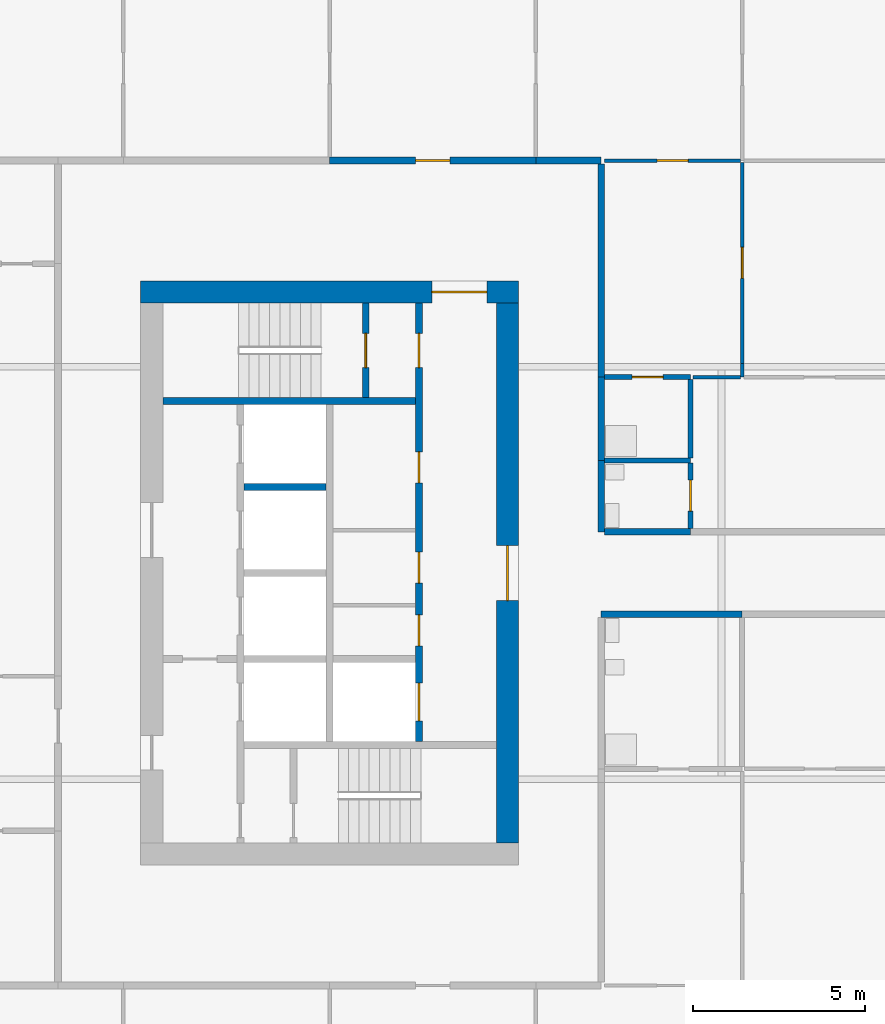
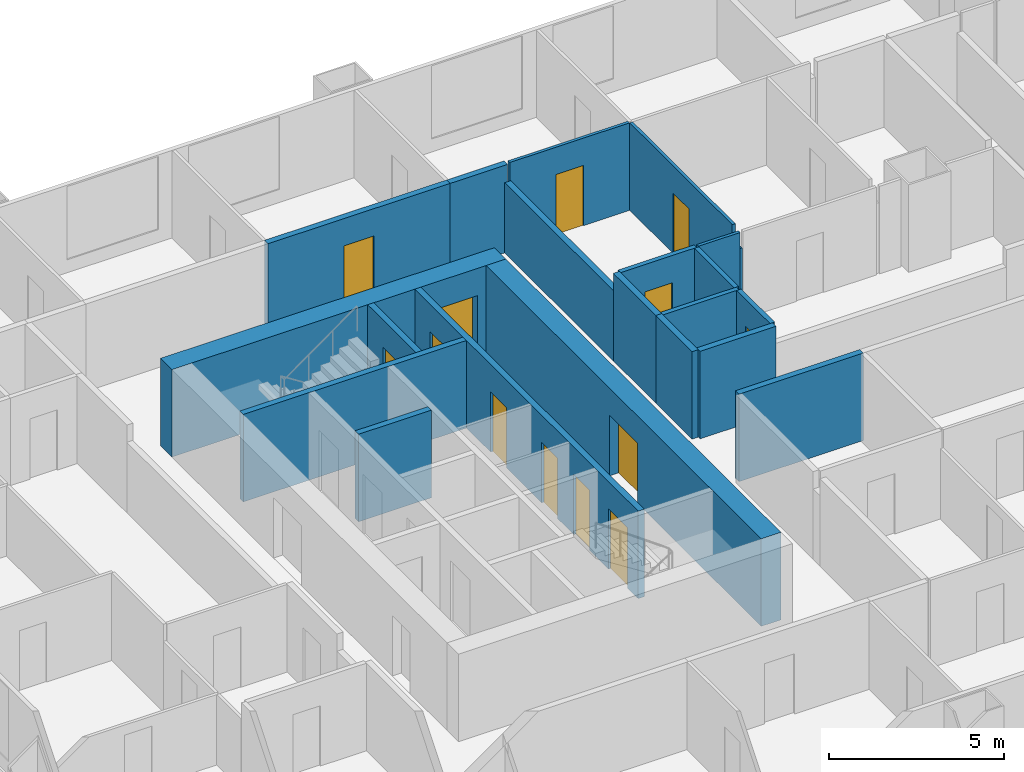
# One storey, part 4 of 11: 21 walls, 13 doors, 13 openings.
"""IFC4 building model written with IfcOpenShell, lengths in metres."""

import ifcopenshell
import ifcopenshell.guid

model = None  # the IFC model being written
_history = None  # IfcOwnerHistory: only IFC2X3 demands one
_inside = {}  # id of a spatial element -> (the spatial element, [elements in it])
_under = {}  # id of a project, library or spatial element -> (it, [spatial elements below it])
_declared = {}  # id of a project -> (the project, [libraries it declares])
_typed = {}  # id of a type object -> (the type object, [elements of that type])
_made_of = {}  # id of a material, layer set ... -> (it, [elements and type objects made of it])


def new_model(schema):
    """Start an empty IFC model of exactly this schema.

    Asked for "IFC4X3", IfcOpenShell would pick the latest addendum, in which some entities
    have other attributes; the version numbers below select the first issue.
    IFC2X3 requires an IfcOwnerHistory on every rooted entity: one is made here for all.
    """
    global model, _history
    if schema == "IFC4X3":
        model = ifcopenshell.file(schema_version=(4, 3, 0, 0))
    else:
        model = ifcopenshell.file(schema=schema)
    _inside.clear()
    _under.clear()
    _declared.clear()
    _typed.clear()
    _made_of.clear()
    _history = None
    if model.schema == "IFC2X3":
        org = make("IfcOrganization", Name="unknown")
        user = make(
            "IfcPersonAndOrganization",
            ThePerson=make("IfcPerson", FamilyName="unknown"),
            TheOrganization=org,
        )
        app = make(
            "IfcApplication",
            ApplicationDeveloper=org,
            Version="unknown",
            ApplicationFullName="unknown",
            ApplicationIdentifier="unknown",
        )
        _history = make(
            "IfcOwnerHistory",
            OwningUser=user,
            OwningApplication=app,
            ChangeAction="ADDED",
            CreationDate=0,
        )
    return model


def make(cls, **values):
    """One entity of the class cls with the attributes given. An attribute that is None is left unset."""
    return model.create_entity(
        cls, **{name: value for name, value in values.items() if value is not None}
    )


def rooted(cls, **values):
    """An entity with a GlobalId (a new one), such as an element, a storey or a relation."""
    return make(cls, GlobalId=ifcopenshell.guid.new(), OwnerHistory=_history, **values)


def si_unit(unit_type, name, prefix=None):
    """IfcSIUnit, for example si_unit("LENGTHUNIT", "METRE", prefix="MILLI")."""
    return make("IfcSIUnit", UnitType=unit_type, Prefix=prefix, Name=name)


def assignment(units):
    """IfcUnitAssignment: the units of a project."""
    return None if units is None else make("IfcUnitAssignment", Units=units)


def point(xyz):
    """IfcCartesianPoint."""
    return None if xyz is None else make("IfcCartesianPoint", Coordinates=xyz)


def direction(xyz):
    """IfcDirection."""
    return None if xyz is None else make("IfcDirection", DirectionRatios=xyz)


def frame(location, z_axis=None, x_axis=None):
    """IfcAxis2Placement3D, a coordinate frame: its origin and axes. An axis left out is left unset."""
    return make(
        "IfcAxis2Placement3D",
        Location=point(location),
        Axis=direction(z_axis),
        RefDirection=direction(x_axis),
    )


def frame_2d(location, x_axis=None):
    """IfcAxis2Placement2D, a coordinate frame in the plane: its origin and x axis."""
    return make(
        "IfcAxis2Placement2D", Location=point(location), RefDirection=direction(x_axis)
    )


def origin():
    """The frame at (0, 0, 0) with its axes left unset."""
    return frame((0.0, 0.0, 0.0))


def place(relative_to, where):
    """IfcLocalPlacement: puts the frame where relative to a parent placement (None: the world)."""
    return make(
        "IfcLocalPlacement", PlacementRelTo=relative_to, RelativePlacement=where
    )


def context(
    kind, dimensions, precision=None, world=None, true_north=None, identifier=None
):
    """IfcGeometricRepresentationContext, for example the 3D "Model" context."""
    return make(
        "IfcGeometricRepresentationContext",
        ContextIdentifier=identifier,
        ContextType=kind,
        CoordinateSpaceDimension=dimensions,
        Precision=precision,
        WorldCoordinateSystem=world,
        TrueNorth=true_north,
    )


def subcontext(parent, identifier, kind, view, scale=None):
    """IfcGeometricRepresentationSubContext, for example "Body" below "Model"."""
    return make(
        "IfcGeometricRepresentationSubContext",
        ContextIdentifier=identifier,
        ContextType=kind,
        ParentContext=parent,
        TargetScale=scale,
        TargetView=view,
    )


def project(units=None, contexts=None):
    """IfcProject with its units and contexts."""
    return rooted(
        "IfcProject",
        Name="project",
        RepresentationContexts=contexts,
        UnitsInContext=assignment(units),
    )


def spatial(cls, under=None, at=None, **own):
    """A site, building, storey or space (cls), placed at a placement, below another one or the project."""
    s = rooted(cls, ObjectPlacement=at, **own)
    if under is not None:
        _under.setdefault(under.id(), (under, []))[1].append(s)
    return s


def profile(cls, at=None, kind="AREA", **sizes):
    """A parametric profile (cls). Its sizes go by their IFC names, for example OverallWidth=200.0."""
    return make(cls, ProfileType=kind, Position=at, **sizes)


def rectangle(**sizes):
    """IfcRectangleProfileDef."""
    return profile("IfcRectangleProfileDef", **sizes)


def extrude(swept, where, along, depth):
    """IfcExtrudedAreaSolid: the profile swept, set in the frame where, extruded along a direction by depth."""
    return make(
        "IfcExtrudedAreaSolid",
        SweptArea=swept,
        Position=where,
        ExtrudedDirection=direction(along),
        Depth=depth,
    )


def shape(context_of_items, identifier, shape_type, items):
    """IfcShapeRepresentation: the items that make up one representation, for example the "Body"."""
    return make(
        "IfcShapeRepresentation",
        ContextOfItems=context_of_items,
        RepresentationIdentifier=identifier,
        RepresentationType=shape_type,
        Items=items,
    )


def material(Name=None, Category=None):
    """IfcMaterial."""
    return make("IfcMaterial", Name=Name, Category=Category)


def layer(
    of_material, thickness, ventilated=None, Name=None, Category=None, Priority=None
):
    """IfcMaterialLayer: one layer of a wall or slab, of a material (None: an air gap)."""
    return make(
        "IfcMaterialLayer",
        Material=of_material,
        LayerThickness=thickness,
        IsVentilated=ventilated,
        Name=Name,
        Category=Category,
        Priority=Priority,
    )


def layer_set(layers, Name=None):
    """IfcMaterialLayerSet."""
    return make("IfcMaterialLayerSet", MaterialLayers=layers, LayerSetName=Name)


def made_of(thing, what):
    """Note that an element or type object is made of a material, layer set ...; save() writes the relation."""
    if what is not None:
        _made_of.setdefault(what.id(), (what, []))[1].append(thing)
    return thing


def type_object(cls, material=None, **own):
    """A type object (cls), such as IfcWallType, which elements share."""
    return made_of(rooted(cls, **own), material)


def element(
    cls,
    number,
    at=None,
    inside=None,
    cuts=None,
    type_object=None,
    material=None,
    context=None,
    identifier="Body",
    shape_type=None,
    held_by="IfcProductDefinitionShape",
    body=None,
    shapes=None,
    **own,
):
    """One element of the class cls, such as IfcWall. Its Tag is "e" and its number.

    at: its placement. inside: the storey or other place that contains it. cuts: it is an
    opening in that element (IfcRelVoidsElement). A single representation is given by context,
    identifier, shape_type and body (its items); several are given by shapes. held_by: the class
    of the entity that holds the representations. save() writes the other relations.
    """
    e = rooted(cls, Tag="e%d" % number, ObjectPlacement=at, **own)
    if body is not None:
        shapes = [shape(context, identifier, shape_type, body)]
    if shapes is not None:
        e.Representation = make(held_by, Representations=shapes)
    if inside is not None:
        _inside.setdefault(inside.id(), (inside, []))[1].append(e)
    if cuts is not None:
        rooted(
            "IfcRelVoidsElement", RelatingBuildingElement=cuts, RelatedOpeningElement=e
        )
    if type_object is not None:
        _typed.setdefault(type_object.id(), (type_object, []))[1].append(e)
    return made_of(e, material)


def fill(opening, filler):
    """IfcRelFillsElement: the door or window that sits in an opening."""
    return rooted(
        "IfcRelFillsElement",
        RelatingOpeningElement=opening,
        RelatedBuildingElement=filler,
    )


def aggregate(whole, parts):
    """IfcRelAggregates: a whole, such as a stair, and the parts it consists of."""
    return rooted("IfcRelAggregates", RelatingObject=whole, RelatedObjects=parts)


def save(model, path):
    """Write the relations noted so far, then the file.

    IfcRelAggregates (storeys below a building ...), IfcRelContainedInSpatialStructure (elements
    in a storey), IfcRelDefinesByType, IfcRelAssociatesMaterial and IfcRelDeclares: one each for
    every whole, place, type object, material and project.
    """
    for whole, parts in _under.values():
        aggregate(whole, parts)
    for where, things in _inside.values():
        rooted(
            "IfcRelContainedInSpatialStructure",
            RelatedElements=things,
            RelatingStructure=where,
        )
    for kind, things in _typed.values():
        rooted("IfcRelDefinesByType", RelatedObjects=things, RelatingType=kind)
    for what, things in _made_of.values():
        rooted("IfcRelAssociatesMaterial", RelatedObjects=things, RelatingMaterial=what)
    for by, libraries in _declared.values():
        rooted("IfcRelDeclares", RelatingContext=by, RelatedDefinitions=libraries)
    model.write(path)


model = new_model("IFC4")

# Units and contexts
model_context = context("Model", 3, precision=1e-05, world=origin(), true_north=direction((0.0, 1.0)))
body_context = subcontext(model_context, "Body", "Model", "MODEL_VIEW")
ifc_project = project(units=[si_unit("LENGTHUNIT", "METRE"), si_unit("AREAUNIT", "SQUARE_METRE"), si_unit("VOLUMEUNIT", "CUBIC_METRE"), si_unit("PLANEANGLEUNIT", "RADIAN"), si_unit("MASSUNIT", "GRAM", prefix="KILO")], contexts=[model_context])

# Site, building, storey
site_placement = place(None, origin())
site = spatial("IfcSite", under=ifc_project, at=site_placement, CompositionType="ELEMENT")
building_placement = place(site_placement, origin())
building = spatial("IfcBuilding", under=site, at=building_placement, Name="Kitamizu Gate Tower and Museum", CompositionType="ELEMENT")
storey_placement = place(building_placement, frame((0.0, 0.0, 127.64990234375)))
storey = spatial("IfcBuildingStorey", under=building, at=storey_placement, Name="L33", CompositionType="ELEMENT", Elevation=127.64990234375)

# Wall, opening, door
ifc_material_1 = material(Name="Concrete Fc60", Category="concrete")
ifc_layer_1 = layer(ifc_material_1, 0.64990234375)
ifc_layer_set_1 = layer_set([ifc_layer_1], Name="Concrete Fc60")
wall_type_1 = type_object("IfcWallType", Name="Core wall 650", PredefinedType="SHEAR", material=ifc_layer_set_1)
wall_1_placement = place(storey_placement, frame((12.5, 38.175048828125, 0.0), z_axis=(0.0, 0.0, 1.0), x_axis=(1.0, 0.0, 0.0)))
wall_1 = element("IfcWall", 1, at=wall_1_placement, inside=storey, type_object=wall_type_1, Name="Core wall WN", PredefinedType="SHEAR", context=body_context, shape_type="SweptSolid", body=[
    extrude(rectangle(XDim=11.0, YDim=0.64990234375, at=frame_2d((5.5, 0.0))), origin(), (0.0, 0.0, 1.0), 3.050048828125),
])
opening_1_placement = place(wall_1_placement, frame((8.47509765625, 0.0, 0.0)))
opening_1 = element("IfcOpeningElement", 2, at=opening_1_placement, cuts=wall_1, Name="Opening L33-059", PredefinedType="OPENING", context=body_context, shape_type="SweptSolid", body=[
    extrude(rectangle(XDim=1.60009765625, YDim=2.10009765625, at=frame_2d((0.800048828125, 1.050048828125))), frame((0.0, 0.3349609375, 0.0), z_axis=(0.0, -1.0, 0.0), x_axis=(1.0, 0.0, 0.0)), (0.0, 0.0, 1.0), 0.669921875),
])
ifc_material_2 = material(Name="Timber door set", Category="wood")
door_type_1 = type_object("IfcDoorType", Name="Entrance door 1600", OperationType="DOUBLE_DOOR_SINGLE_SWING", PredefinedType="DOOR", material=ifc_material_2)
door_1_placement = place(opening_1_placement, origin())
door_1 = element("IfcDoor", 3, at=door_1_placement, inside=storey, type_object=door_type_1, Name="Lobby door L33-059", OperationType="DOUBLE_DOOR_SINGLE_SWING", OverallHeight=2.10009765625, OverallWidth=1.60009765625, PredefinedType="DOOR", context=body_context, shape_type="SweptSolid", body=[
    extrude(rectangle(XDim=1.60009765625, YDim=2.10009765625, at=frame_2d((0.800048828125, 1.050048828125))), frame((0.0, 0.02490234375, 0.0), z_axis=(0.0, -1.0, 0.0), x_axis=(1.0, 0.0, 0.0)), (0.0, 0.0, 1.0), 0.050048828125),
])
fill(opening_1, door_1)

wall_2_placement = place(storey_placement, frame((23.175048828125, 22.14990234375, 0.0), z_axis=(0.0, 0.0, 1.0), x_axis=(0.0, 1.0, 0.0)))
wall_2 = element("IfcWall", 4, at=wall_2_placement, inside=storey, type_object=wall_type_1, Name="Core wall WARC", PredefinedType="SHEAR", context=body_context, shape_type="SweptSolid", body=[
    extrude(rectangle(XDim=15.7001953125, YDim=0.64990234375, at=frame_2d((7.85009765625, 0.0))), origin(), (0.0, 0.0, 1.0), 3.050048828125),
])
opening_2_placement = place(wall_2_placement, frame((7.050048828125, 0.0, 0.0)))
opening_2 = element("IfcOpeningElement", 5, at=opening_2_placement, cuts=wall_2, Name="Opening L33-060", PredefinedType="OPENING", context=body_context, shape_type="SweptSolid", body=[
    extrude(rectangle(XDim=1.60009765625, YDim=2.10009765625, at=frame_2d((0.800048828125, 1.050048828125))), frame((0.0, 0.3349609375, 0.0), z_axis=(0.0, -1.0, 0.0), x_axis=(1.0, 0.0, 0.0)), (0.0, 0.0, 1.0), 0.669921875),
])
door_2_placement = place(opening_2_placement, origin())
door_2 = element("IfcDoor", 6, at=door_2_placement, inside=storey, type_object=door_type_1, Name="Lobby door L33-060", OperationType="DOUBLE_DOOR_SINGLE_SWING", OverallHeight=2.10009765625, OverallWidth=1.60009765625, PredefinedType="DOOR", context=body_context, shape_type="SweptSolid", body=[
    extrude(rectangle(XDim=1.60009765625, YDim=2.10009765625, at=frame_2d((0.800048828125, 1.050048828125))), frame((0.0, 0.02490234375, 0.0), z_axis=(0.0, -1.0, 0.0), x_axis=(1.0, 0.0, 0.0)), (0.0, 0.0, 1.0), 0.050048828125),
])
fill(opening_2, door_2)

ifc_material_3 = material(Name="Gypsum board on galvanised stud")
ifc_layer_2 = layer(ifc_material_3, 0.10009765625)
ifc_layer_set_2 = layer_set([ifc_layer_2], Name="Gypsum board on galvanised stud")
wall_type_2 = type_object("IfcWallType", Name="Partition 100 NOT RATED", PredefinedType="PARTITIONING", material=ifc_layer_set_2)
wall_3_placement = place(storey_placement, frame((26.0, 42.0, 0.0), z_axis=(0.0, 0.0, 1.0), x_axis=(1.0, 0.0, 0.0)))
wall_3 = element("IfcWall", 7, at=wall_3_placement, inside=storey, type_object=wall_type_2, Name="Partition L33-058", PredefinedType="PARTITIONING", context=body_context, shape_type="SweptSolid", body=[
    extrude(rectangle(XDim=3.949951171875, YDim=0.10009765625, at=frame_2d((1.97509765625, 0.0))), origin(), (0.0, 0.0, 1.0), 3.050048828125),
])
opening_3_placement = place(wall_3_placement, frame((1.52490234375, 0.0, 0.0)))
opening_3 = element("IfcOpeningElement", 8, at=opening_3_placement, cuts=wall_3, Name="Opening L33-023", PredefinedType="OPENING", context=body_context, shape_type="SweptSolid", body=[
    extrude(rectangle(XDim=0.89990234375, YDim=2.10009765625, at=frame_2d((0.449951171875, 1.050048828125))), frame((0.0, 0.06005859375, 0.0), z_axis=(0.0, -1.0, 0.0), x_axis=(1.0, 0.0, 0.0)), (0.0, 0.0, 1.0), 0.1201171875),
])
ifc_material_4 = material(Name="Timber door set", Category="wood")
door_type_2 = type_object("IfcDoorType", Name="Room door 900", OperationType="NOTDEFINED", PredefinedType="DOOR", material=ifc_material_4)
door_3_placement = place(opening_3_placement, frame((0.89990234375, 0.0, 0.0), x_axis=(-1.0, 0.0, 0.0)))
door_3 = element("IfcDoor", 9, at=door_3_placement, inside=storey, type_object=door_type_2, Name="Door L33-023", OperationType="SINGLE_SWING_LEFT", OverallHeight=2.10009765625, OverallWidth=0.89990234375, PredefinedType="DOOR", context=body_context, shape_type="SweptSolid", body=[
    extrude(rectangle(XDim=0.89990234375, YDim=2.10009765625, at=frame_2d((0.449951171875, 1.050048828125))), frame((0.0, 0.02490234375, 0.0), z_axis=(0.0, -1.0, 0.0), x_axis=(1.0, 0.0, 0.0)), (0.0, 0.0, 1.0), 0.050048828125),
])
fill(opening_3, door_3)

# Wall
wall_4_placement = place(storey_placement, frame((30.0, 35.699951171875, 0.0), z_axis=(0.0, 0.0, 1.0), x_axis=(0.0, 1.0, 0.0)))
element("IfcWall", 10, at=wall_4_placement, inside=storey, type_object=wall_type_2, Name="Partition L33-063", PredefinedType="PARTITIONING", context=body_context, shape_type="SweptSolid", body=[
    extrude(rectangle(XDim=0.400146484375, YDim=0.10009765625, at=frame_2d((0.2001953125, 0.0))), origin(), (0.0, 0.0, 1.0), 2.4501953125),
])

# Wall, opening, door
wall_5_placement = place(storey_placement, frame((30.0, 36.10009765625, 0.0), z_axis=(0.0, 0.0, 1.0), x_axis=(0.0, 1.0, 0.0)))
wall_5 = element("IfcWall", 11, at=wall_5_placement, inside=storey, type_object=wall_type_2, Name="Partition L33-064", PredefinedType="PARTITIONING", context=body_context, shape_type="SweptSolid", body=[
    extrude(rectangle(XDim=5.849853515625, YDim=0.10009765625, at=frame_2d((2.9248046875, 0.0))), origin(), (0.0, 0.0, 1.0), 3.050048828125),
])
opening_4_placement = place(wall_5_placement, frame((2.47509765625, 0.0, 0.0)))
opening_4 = element("IfcOpeningElement", 12, at=opening_4_placement, cuts=wall_5, Name="Opening L33-024", PredefinedType="OPENING", context=body_context, shape_type="SweptSolid", body=[
    extrude(rectangle(XDim=0.89990234375, YDim=2.10009765625, at=frame_2d((0.449951171875, 1.050048828125))), frame((0.0, 0.06005859375, 0.0), z_axis=(0.0, -1.0, 0.0), x_axis=(1.0, 0.0, 0.0)), (0.0, 0.0, 1.0), 0.1201171875),
])
door_4_placement = place(opening_4_placement, origin())
door_4 = element("IfcDoor", 13, at=door_4_placement, inside=storey, type_object=door_type_2, Name="Door L33-024", OperationType="SINGLE_SWING_LEFT", OverallHeight=2.10009765625, OverallWidth=0.89990234375, PredefinedType="DOOR", context=body_context, shape_type="SweptSolid", body=[
    extrude(rectangle(XDim=0.89990234375, YDim=2.10009765625, at=frame_2d((0.449951171875, 1.050048828125))), frame((0.0, 0.02490234375, 0.0), z_axis=(0.0, -1.0, 0.0), x_axis=(1.0, 0.0, 0.0)), (0.0, 0.0, 1.0), 0.050048828125),
])
fill(opening_4, door_4)

# Wall
wall_6_placement = place(storey_placement, frame((28.574951171875, 35.699951171875, 0.0), z_axis=(0.0, 0.0, 1.0), x_axis=(1.0, 0.0, 0.0)))
element("IfcWall", 14, at=wall_6_placement, inside=storey, type_object=wall_type_2, Name="Partition L33-066", PredefinedType="PARTITIONING", context=body_context, shape_type="SweptSolid", body=[
    extrude(rectangle(XDim=1.375, YDim=0.10009765625, at=frame_2d((0.6875, 0.0))), origin(), (0.0, 0.0, 1.0), 3.050048828125),
])

# Wall, opening, door
ifc_material_5 = material(Name="Gypsum board on galvanised stud")
ifc_layer_3 = layer(ifc_material_5, 0.14990234375)
ifc_layer_set_3 = layer_set([ifc_layer_3], Name="Gypsum board on galvanised stud")
wall_type_3 = type_object("IfcWallType", Name="Partition 150", PredefinedType="PARTITIONING", material=ifc_layer_set_3)
wall_7_placement = place(storey_placement, frame((26.0, 35.699951171875, 0.0), z_axis=(0.0, 0.0, 1.0), x_axis=(1.0, 0.0, 0.0)))
wall_7 = element("IfcWall", 15, at=wall_7_placement, inside=storey, type_object=wall_type_3, Name="Partition L33-065", PredefinedType="PARTITIONING", context=body_context, shape_type="SweptSolid", body=[
    extrude(rectangle(XDim=2.5, YDim=0.14990234375, at=frame_2d((1.25, 0.0))), origin(), (0.0, 0.0, 1.0), 3.050048828125),
])
opening_5_placement = place(wall_7_placement, frame((0.800048828125, 0.0, 0.0)))
opening_5 = element("IfcOpeningElement", 16, at=opening_5_placement, cuts=wall_7, Name="Opening L33-026", PredefinedType="OPENING", context=body_context, shape_type="SweptSolid", body=[
    extrude(rectangle(XDim=0.89990234375, YDim=2.10009765625, at=frame_2d((0.449951171875, 1.050048828125))), frame((0.0, 0.0849609375, 0.0), z_axis=(0.0, -1.0, 0.0), x_axis=(1.0, 0.0, 0.0)), (0.0, 0.0, 1.0), 0.169921875),
])
ifc_material_6 = material(Name="Timber door set", Category="wood")
door_type_3 = type_object("IfcDoorType", Name="Bathroom door 900", OperationType="NOTDEFINED", PredefinedType="DOOR", material=ifc_material_6)
door_5_placement = place(opening_5_placement, frame((0.89990234375, 0.0, 0.0), x_axis=(-1.0, 0.0, 0.0)))
door_5 = element("IfcDoor", 17, at=door_5_placement, inside=storey, type_object=door_type_3, Name="Bathroom door L33-026", OperationType="SINGLE_SWING_RIGHT", OverallHeight=2.10009765625, OverallWidth=0.89990234375, PredefinedType="DOOR", context=body_context, shape_type="SweptSolid", body=[
    extrude(rectangle(XDim=0.89990234375, YDim=2.10009765625, at=frame_2d((0.449951171875, 1.050048828125))), frame((0.0, 0.02490234375, 0.0), z_axis=(0.0, -1.0, 0.0), x_axis=(1.0, 0.0, 0.0)), (0.0, 0.0, 1.0), 0.050048828125),
])
fill(opening_5, door_5)

# Wall
wall_8_placement = place(storey_placement, frame((28.5, 33.277099609375, 0.0), z_axis=(0.0, 0.0, 1.0), x_axis=(-1.0, 0.0, 0.0)))
element("IfcWall", 18, at=wall_8_placement, inside=storey, type_object=wall_type_3, Name="Partition L33-076", PredefinedType="PARTITIONING", context=body_context, shape_type="SweptSolid", body=[
    extrude(rectangle(XDim=2.5, YDim=0.14990234375, at=frame_2d((1.25, 0.0))), origin(), (0.0, 0.0, 1.0), 3.050048828125),
])

# Wall, opening, door
wall_9_placement = place(storey_placement, frame((28.5, 31.300048828125, 0.0), z_axis=(0.0, 0.0, 1.0), x_axis=(0.0, 1.0, 0.0)))
wall_9 = element("IfcWall", 19, at=wall_9_placement, inside=storey, type_object=wall_type_3, Name="Partition L33-077", PredefinedType="PARTITIONING", context=body_context, shape_type="SweptSolid", body=[
    extrude(rectangle(XDim=1.90185546875, YDim=0.14990234375, at=frame_2d((0.950927734375, 0.0))), origin(), (0.0, 0.0, 1.0), 3.050048828125),
])
opening_6_placement = place(wall_9_placement, frame((0.5009765625, 0.0, 0.0)))
opening_6 = element("IfcOpeningElement", 20, at=opening_6_placement, cuts=wall_9, Name="Opening L33-028", PredefinedType="OPENING", context=body_context, shape_type="SweptSolid", body=[
    extrude(rectangle(XDim=0.89990234375, YDim=2.10009765625, at=frame_2d((0.449951171875, 1.050048828125))), frame((0.0, 0.0849609375, 0.0), z_axis=(0.0, -1.0, 0.0), x_axis=(1.0, 0.0, 0.0)), (0.0, 0.0, 1.0), 0.169921875),
])
door_6_placement = place(opening_6_placement, origin())
door_6 = element("IfcDoor", 21, at=door_6_placement, inside=storey, type_object=door_type_3, Name="Bathroom door L33-028", OperationType="SINGLE_SWING_LEFT", OverallHeight=2.10009765625, OverallWidth=0.89990234375, PredefinedType="DOOR", context=body_context, shape_type="SweptSolid", body=[
    extrude(rectangle(XDim=0.89990234375, YDim=2.10009765625, at=frame_2d((0.449951171875, 1.050048828125))), frame((0.0, 0.02490234375, 0.0), z_axis=(0.0, -1.0, 0.0), x_axis=(1.0, 0.0, 0.0)), (0.0, 0.0, 1.0), 0.050048828125),
])
fill(opening_6, door_6)

# Walls
wall_10_placement = place(storey_placement, frame((28.5, 33.35205078125, 0.0), z_axis=(0.0, 0.0, 1.0), x_axis=(0.0, 1.0, 0.0)))
element("IfcWall", 22, at=wall_10_placement, inside=storey, type_object=wall_type_3, Name="Partition L33-080", PredefinedType="PARTITIONING", context=body_context, shape_type="SweptSolid", body=[
    extrude(rectangle(XDim=2.27294921875, YDim=0.14990234375, at=frame_2d((1.136474609375, 0.0))), origin(), (0.0, 0.0, 1.0), 3.050048828125),
])
ifc_material_7 = material(Name="Gypsum board on galvanised stud")
ifc_layer_4 = layer(ifc_material_7, 0.199951171875)
ifc_layer_set_4 = layer_set([ifc_layer_4], Name="Gypsum board on galvanised stud")
wall_type_4 = type_object("IfcWallType", Name="Partition 200", PredefinedType="PARTITIONING", material=ifc_layer_set_4)
wall_11_placement = place(storey_placement, frame((30.0, 28.800048828125, 0.0), z_axis=(0.0, 0.0, 1.0), x_axis=(-1.0, 0.0, 0.0)))
element("IfcWall", 23, at=wall_11_placement, inside=storey, type_object=wall_type_4, Name="Partition L33-025", PredefinedType="PARTITIONING", context=body_context, shape_type="SweptSolid", body=[
    extrude(rectangle(XDim=4.10009765625, YDim=0.199951171875, at=frame_2d((2.050048828125, 0.0))), origin(), (0.0, 0.0, 1.0), 3.050048828125),
])

# Wall, opening, door
wall_12_placement = place(storey_placement, frame((18.0, 42.0, 0.0), z_axis=(0.0, 0.0, 1.0), x_axis=(1.0, 0.0, 0.0)))
wall_12 = element("IfcWall", 24, at=wall_12_placement, inside=storey, type_object=wall_type_4, Name="Partition L33-056", PredefinedType="PARTITIONING", context=body_context, shape_type="SweptSolid", body=[
    extrude(rectangle(XDim=6.0, YDim=0.199951171875, at=frame_2d((3.0, 0.0))), origin(), (0.0, 0.0, 1.0), 3.050048828125),
])
opening_7_placement = place(wall_12_placement, frame((2.5, 0.0, 0.0)))
opening_7 = element("IfcOpeningElement", 25, at=opening_7_placement, cuts=wall_12, Name="Opening L33-018", PredefinedType="OPENING", context=body_context, shape_type="SweptSolid", body=[
    extrude(rectangle(XDim=1.0, YDim=2.10009765625, at=frame_2d((0.5, 1.050048828125))), frame((0.0, 0.10986328125, 0.0), z_axis=(0.0, -1.0, 0.0), x_axis=(1.0, 0.0, 0.0)), (0.0, 0.0, 1.0), 0.219970703125),
])
ifc_material_8 = material(Name="Timber door set", Category="wood")
door_type_4 = type_object("IfcDoorType", Name="Flat entrance door 1000", OperationType="NOTDEFINED", PredefinedType="DOOR", material=ifc_material_8)
door_7_placement = place(opening_7_placement, origin())
door_7 = element("IfcDoor", 26, at=door_7_placement, inside=storey, type_object=door_type_4, Name="Flat entrance door L33-018", OperationType="SINGLE_SWING_LEFT", OverallHeight=2.10009765625, OverallWidth=1.0, PredefinedType="DOOR", context=body_context, shape_type="SweptSolid", body=[
    extrude(rectangle(XDim=1.0, YDim=2.10009765625, at=frame_2d((0.5, 1.050048828125))), frame((0.0, 0.02490234375, 0.0), z_axis=(0.0, -1.0, 0.0), x_axis=(1.0, 0.0, 0.0)), (0.0, 0.0, 1.0), 0.050048828125),
])
fill(opening_7, door_7)

# Walls
wall_13_placement = place(storey_placement, frame((24.0, 42.0, 0.0), z_axis=(0.0, 0.0, 1.0), x_axis=(1.0, 0.0, 0.0)))
element("IfcWall", 27, at=wall_13_placement, inside=storey, type_object=wall_type_4, Name="Partition L33-059", PredefinedType="PARTITIONING", context=body_context, shape_type="SweptSolid", body=[
    extrude(rectangle(XDim=1.89990234375, YDim=0.199951171875, at=frame_2d((0.949951171875, 0.0))), origin(), (0.0, 0.0, 1.0), 3.050048828125),
])
wall_14_placement = place(storey_placement, frame((25.89990234375, 41.89990234375, 0.0), z_axis=(0.0, 0.0, 1.0), x_axis=(0.0, -1.0, 0.0)))
element("IfcWall", 28, at=wall_14_placement, inside=storey, type_object=wall_type_4, Name="Partition L33-067", PredefinedType="PARTITIONING", context=body_context, shape_type="SweptSolid", body=[
    extrude(rectangle(XDim=6.199951171875, YDim=0.199951171875, at=frame_2d((3.10009765625, 0.0))), origin(), (0.0, 0.0, 1.0), 2.4501953125),
])
wall_15_placement = place(storey_placement, frame((25.89990234375, 33.277099609375, 0.0), z_axis=(0.0, 0.0, 1.0), x_axis=(0.0, -1.0, 0.0)))
element("IfcWall", 29, at=wall_15_placement, inside=storey, type_object=wall_type_4, Name="Partition L33-078", PredefinedType="PARTITIONING", context=body_context, shape_type="SweptSolid", body=[
    extrude(rectangle(XDim=2.0771484375, YDim=0.199951171875, at=frame_2d((1.03857421875, 0.0))), origin(), (0.0, 0.0, 1.0), 3.050048828125),
])
wall_16_placement = place(storey_placement, frame((26.0, 31.199951171875, 0.0), z_axis=(0.0, 0.0, 1.0), x_axis=(1.0, 0.0, 0.0)))
element("IfcWall", 30, at=wall_16_placement, inside=storey, type_object=wall_type_4, Name="Partition L33-079", PredefinedType="PARTITIONING", context=body_context, shape_type="SweptSolid", body=[
    extrude(rectangle(XDim=2.5, YDim=0.199951171875, at=frame_2d((1.25, 0.0))), origin(), (0.0, 0.0, 1.0), 3.050048828125),
])
wall_17_placement = place(storey_placement, frame((25.89990234375, 35.699951171875, 0.0), z_axis=(0.0, 0.0, 1.0), x_axis=(0.0, -1.0, 0.0)))
element("IfcWall", 31, at=wall_17_placement, inside=storey, type_object=wall_type_4, Name="Partition L33-081", PredefinedType="PARTITIONING", context=body_context, shape_type="SweptSolid", body=[
    extrude(rectangle(XDim=2.4228515625, YDim=0.199951171875, at=frame_2d((1.21142578125, 0.0))), origin(), (0.0, 0.0, 1.0), 3.050048828125),
])

# Wall, openings, doors
ifc_material_9 = material(Name="Concrete Fc42", Category="concrete")
ifc_layer_5 = layer(ifc_material_9, 0.199951171875)
ifc_layer_set_5 = layer_set([ifc_layer_5], Name="Concrete Fc42")
wall_type_5 = type_object("IfcWallType", Name="Shaft wall 200", PredefinedType="SOLIDWALL", material=ifc_layer_set_5)
wall_18_placement = place(storey_placement, frame((20.60009765625, 25.10009765625, 0.0), z_axis=(0.0, 0.0, 1.0), x_axis=(0.0, 1.0, 0.0)))
wall_18 = element("IfcWall", 32, at=wall_18_placement, inside=storey, type_object=wall_type_5, Name="Shaft wall WEAST", PredefinedType="SOLIDWALL", context=body_context, shape_type="SweptSolid", body=[
    extrude(rectangle(XDim=12.75, YDim=0.199951171875, at=frame_2d((6.375, 0.0))), origin(), (0.0, 0.0, 1.0), 3.050048828125),
])
opening_8_placement = place(wall_18_placement, frame((0.60009765625, 0.0, 0.0)))
opening_8 = element("IfcOpeningElement", 33, at=opening_8_placement, cuts=wall_18, Name="Opening LD", PredefinedType="OPENING", context=body_context, shape_type="SweptSolid", body=[
    extrude(rectangle(XDim=1.10009765625, YDim=2.10009765625, at=frame_2d((0.550048828125, 1.050048828125))), frame((0.0, 0.10986328125, 0.0), z_axis=(0.0, -1.0, 0.0), x_axis=(1.0, 0.0, 0.0)), (0.0, 0.0, 1.0), 0.219970703125),
])
opening_9_placement = place(wall_18_placement, frame((10.875, 0.0, 0.0)))
opening_9 = element("IfcOpeningElement", 34, at=opening_9_placement, cuts=wall_18, Name="Opening L33-054", PredefinedType="OPENING", context=body_context, shape_type="SweptSolid", body=[
    extrude(rectangle(XDim=1.0, YDim=2.10009765625, at=frame_2d((0.5, 1.050048828125))), frame((0.0, 0.10986328125, 0.0), z_axis=(0.0, -1.0, 0.0), x_axis=(1.0, 0.0, 0.0)), (0.0, 0.0, 1.0), 0.219970703125),
])
opening_10_placement = place(wall_18_placement, frame((2.780029296875, 0.0, 0.0)))
opening_10 = element("IfcOpeningElement", 35, at=opening_10_placement, cuts=wall_18, Name="Opening L33-061", PredefinedType="OPENING", context=body_context, shape_type="SweptSolid", body=[
    extrude(rectangle(XDim=0.89990234375, YDim=2.10009765625, at=frame_2d((0.449951171875, 1.050048828125))), frame((0.0, 0.10986328125, 0.0), z_axis=(0.0, -1.0, 0.0), x_axis=(1.0, 0.0, 0.0)), (0.0, 0.0, 1.0), 0.219970703125),
])
opening_11_placement = place(wall_18_placement, frame((4.60498046875, 0.0, 0.0)))
opening_11 = element("IfcOpeningElement", 36, at=opening_11_placement, cuts=wall_18, Name="Opening L33-062", PredefinedType="OPENING", context=body_context, shape_type="SweptSolid", body=[
    extrude(rectangle(XDim=0.89990234375, YDim=2.10009765625, at=frame_2d((0.449951171875, 1.050048828125))), frame((0.0, 0.10986328125, 0.0), z_axis=(0.0, -1.0, 0.0), x_axis=(1.0, 0.0, 0.0)), (0.0, 0.0, 1.0), 0.219970703125),
])
opening_12_placement = place(wall_18_placement, frame((7.52490234375, 0.0, 0.0)))
opening_12 = element("IfcOpeningElement", 37, at=opening_12_placement, cuts=wall_18, Name="Opening L33-063", PredefinedType="OPENING", context=body_context, shape_type="SweptSolid", body=[
    extrude(rectangle(XDim=0.89990234375, YDim=2.10009765625, at=frame_2d((0.449951171875, 1.050048828125))), frame((0.0, 0.10986328125, 0.0), z_axis=(0.0, -1.0, 0.0), x_axis=(1.0, 0.0, 0.0)), (0.0, 0.0, 1.0), 0.219970703125),
])
ifc_material_10 = material(Name="Hollow metal door set")
door_type_5 = type_object("IfcDoorType", Name="Fire door 1000", OperationType="NOTDEFINED", PredefinedType="DOOR", material=ifc_material_10)
door_8_placement = place(opening_9_placement, origin())
door_8 = element("IfcDoor", 38, at=door_8_placement, inside=storey, type_object=door_type_5, Name="Stair lobby door L33-054", OperationType="SINGLE_SWING_RIGHT", OverallHeight=2.10009765625, OverallWidth=1.0, PredefinedType="DOOR", context=body_context, shape_type="SweptSolid", body=[
    extrude(rectangle(XDim=1.0, YDim=2.10009765625, at=frame_2d((0.5, 1.050048828125))), frame((0.0, 0.02490234375, 0.0), z_axis=(0.0, -1.0, 0.0), x_axis=(1.0, 0.0, 0.0)), (0.0, 0.0, 1.0), 0.050048828125),
])
fill(opening_9, door_8)
ifc_material_11 = material(Name="Hollow metal door set")
door_type_6 = type_object("IfcDoorType", Name="Landing door 1100", OperationType="SLIDING_TO_LEFT", PredefinedType="DOOR", material=ifc_material_11)
door_9_placement = place(opening_8_placement, origin())
door_9 = element("IfcDoor", 39, at=door_9_placement, inside=storey, type_object=door_type_6, Name="Landing door WSV1", OperationType="SLIDING_TO_LEFT", OverallHeight=2.10009765625, OverallWidth=1.10009765625, PredefinedType="DOOR", context=body_context, shape_type="SweptSolid", body=[
    extrude(rectangle(XDim=1.10009765625, YDim=2.10009765625, at=frame_2d((0.550048828125, 1.050048828125))), frame((0.0, 0.02490234375, 0.0), z_axis=(0.0, -1.0, 0.0), x_axis=(1.0, 0.0, 0.0)), (0.0, 0.0, 1.0), 0.050048828125),
])
fill(opening_8, door_9)
ifc_material_12 = material(Name="Timber door set", Category="wood")
door_type_7 = type_object("IfcDoorType", Name="Service door 900", OperationType="NOTDEFINED", PredefinedType="DOOR", material=ifc_material_12)
door_10_placement = place(opening_10_placement, origin())
door_10 = element("IfcDoor", 40, at=door_10_placement, inside=storey, type_object=door_type_7, Name="Service door L33-061", OperationType="SINGLE_SWING_RIGHT", OverallHeight=2.10009765625, OverallWidth=0.89990234375, PredefinedType="DOOR", context=body_context, shape_type="SweptSolid", body=[
    extrude(rectangle(XDim=0.89990234375, YDim=2.10009765625, at=frame_2d((0.449951171875, 1.050048828125))), frame((0.0, 0.02490234375, 0.0), z_axis=(0.0, -1.0, 0.0), x_axis=(1.0, 0.0, 0.0)), (0.0, 0.0, 1.0), 0.050048828125),
])
fill(opening_10, door_10)
door_11_placement = place(opening_11_placement, origin())
door_11 = element("IfcDoor", 41, at=door_11_placement, inside=storey, type_object=door_type_7, Name="Service door L33-062", OperationType="SINGLE_SWING_LEFT", OverallHeight=2.10009765625, OverallWidth=0.89990234375, PredefinedType="DOOR", context=body_context, shape_type="SweptSolid", body=[
    extrude(rectangle(XDim=0.89990234375, YDim=2.10009765625, at=frame_2d((0.449951171875, 1.050048828125))), frame((0.0, 0.02490234375, 0.0), z_axis=(0.0, -1.0, 0.0), x_axis=(1.0, 0.0, 0.0)), (0.0, 0.0, 1.0), 0.050048828125),
])
fill(opening_11, door_11)
door_12_placement = place(opening_12_placement, origin())
door_12 = element("IfcDoor", 42, at=door_12_placement, inside=storey, type_object=door_type_7, Name="Service door L33-063", OperationType="SINGLE_SWING_RIGHT", OverallHeight=2.10009765625, OverallWidth=0.89990234375, PredefinedType="DOOR", context=body_context, shape_type="SweptSolid", body=[
    extrude(rectangle(XDim=0.89990234375, YDim=2.10009765625, at=frame_2d((0.449951171875, 1.050048828125))), frame((0.0, 0.02490234375, 0.0), z_axis=(0.0, -1.0, 0.0), x_axis=(1.0, 0.0, 0.0)), (0.0, 0.0, 1.0), 0.050048828125),
])
fill(opening_12, door_12)

# Wall
wall_19_placement = place(storey_placement, frame((13.14990234375, 35.0, 0.0), z_axis=(0.0, 0.0, 1.0), x_axis=(1.0, 0.0, 0.0)))
element("IfcWall", 43, at=wall_19_placement, inside=storey, type_object=wall_type_5, Name="Shaft wall WNB", PredefinedType="SOLIDWALL", context=body_context, shape_type="SweptSolid", body=[
    extrude(rectangle(XDim=7.35009765625, YDim=0.199951171875, at=frame_2d((3.675048828125, 0.0))), origin(), (0.0, 0.0, 1.0), 3.050048828125),
])

# Wall, opening, door
wall_20_placement = place(storey_placement, frame((19.050048828125, 35.10009765625, 0.0), z_axis=(0.0, 0.0, 1.0), x_axis=(0.0, 1.0, 0.0)))
wall_20 = element("IfcWall", 44, at=wall_20_placement, inside=storey, type_object=wall_type_5, Name="Shaft wall WNZ", PredefinedType="SOLIDWALL", context=body_context, shape_type="SweptSolid", body=[
    extrude(rectangle(XDim=2.75, YDim=0.199951171875, at=frame_2d((1.375, 0.0))), origin(), (0.0, 0.0, 1.0), 3.050048828125),
])
opening_13_placement = place(wall_20_placement, frame((0.875, 0.0, 0.0)))
opening_13 = element("IfcOpeningElement", 45, at=opening_13_placement, cuts=wall_20, Name="Opening L33-055", PredefinedType="OPENING", context=body_context, shape_type="SweptSolid", body=[
    extrude(rectangle(XDim=1.0, YDim=2.10009765625, at=frame_2d((0.5, 1.050048828125))), frame((0.0, 0.10986328125, 0.0), z_axis=(0.0, -1.0, 0.0), x_axis=(1.0, 0.0, 0.0)), (0.0, 0.0, 1.0), 0.219970703125),
])
door_13_placement = place(opening_13_placement, origin())
door_13 = element("IfcDoor", 46, at=door_13_placement, inside=storey, type_object=door_type_5, Name="Stair door L33-055", OperationType="SINGLE_SWING_LEFT", OverallHeight=2.10009765625, OverallWidth=1.0, PredefinedType="DOOR", context=body_context, shape_type="SweptSolid", body=[
    extrude(rectangle(XDim=1.0, YDim=2.10009765625, at=frame_2d((0.5, 1.050048828125))), frame((0.0, 0.02490234375, 0.0), z_axis=(0.0, -1.0, 0.0), x_axis=(1.0, 0.0, 0.0)), (0.0, 0.0, 1.0), 0.050048828125),
])
fill(opening_13, door_13)

# Wall
wall_21_placement = place(storey_placement, frame((15.5, 32.5, 0.0), z_axis=(0.0, 0.0, 1.0), x_axis=(1.0, 0.0, 0.0)))
element("IfcWall", 47, at=wall_21_placement, inside=storey, type_object=wall_type_5, Name="Shaft wall WDVW2", PredefinedType="SOLIDWALL", context=body_context, shape_type="SweptSolid", body=[
    extrude(rectangle(XDim=2.39990234375, YDim=0.199951171875, at=frame_2d((1.199951171875, 0.0))), origin(), (0.0, 0.0, 1.0), 3.050048828125),
])

save(model, "model.ifc")
